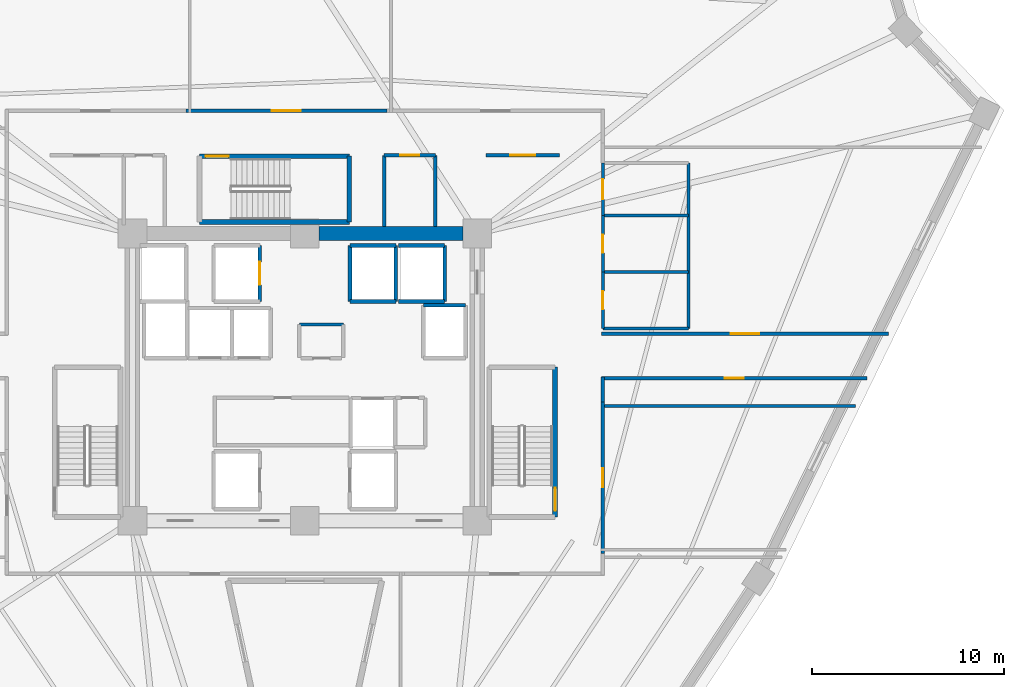
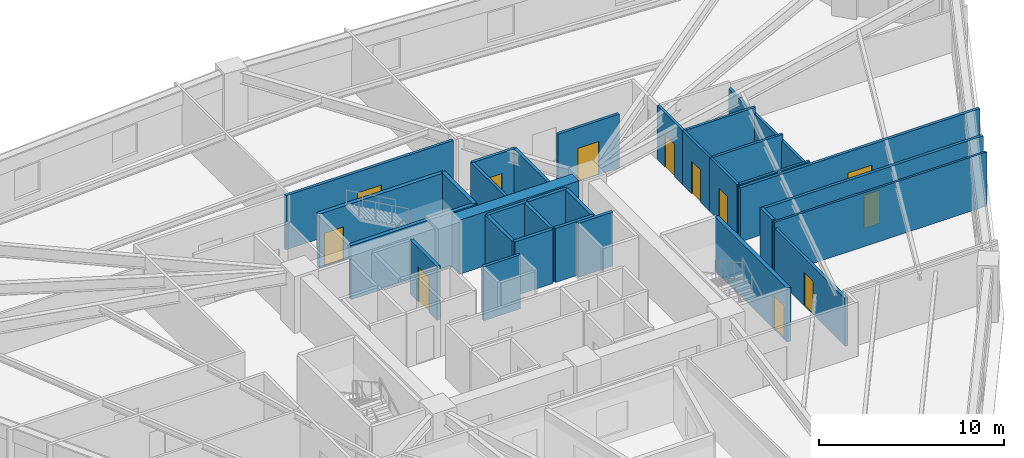
# One storey, part 6 of 9: 32 walls, 12 doors, 12 openings.
"""IFC4 building model written with IfcOpenShell, lengths in metres."""

from ifc_helpers import new_model, si_unit, direction, frame, frame_2d, origin, place, context, subcontext, project, spatial, rectangle, extrude, source, transform, mapped, material, layer, layer_set, type_object, element, fill, save


model = new_model("IFC4")

# Units and contexts
model_context = context("Model", 3, precision=1e-05, world=origin(), true_north=direction((0.0, 1.0)))
body_context = subcontext(model_context, "Body", "Model", "MODEL_VIEW")
ifc_project = project(units=[si_unit("LENGTHUNIT", "METRE"), si_unit("AREAUNIT", "SQUARE_METRE"), si_unit("VOLUMEUNIT", "CUBIC_METRE"), si_unit("PLANEANGLEUNIT", "RADIAN"), si_unit("MASSUNIT", "GRAM", prefix="KILO")], contexts=[model_context])

# Site, building, storey
site_placement = place(None, origin())
site = spatial("IfcSite", under=ifc_project, at=site_placement, CompositionType="ELEMENT")
building_placement = place(site_placement, origin())
building = spatial("IfcBuilding", under=site, at=building_placement, Name="Liaohun Quay Tower", CompositionType="ELEMENT")
storey_placement = place(building_placement, frame((0.0, 0.0, 144.0)))
storey = spatial("IfcBuildingStorey", under=building, at=storey_placement, Name="L37", CompositionType="ELEMENT", Elevation=144.0)

# Wall
ifc_material_1 = material(Name="Concrete C60", Category="concrete")
ifc_layer_1 = layer(ifc_material_1, 0.75, Name="Concrete C60", Category="concrete")
ifc_layer_set_1 = layer_set([ifc_layer_1], Name="Concrete C60")
wall_type_1 = type_object("IfcWallType", Name="WAL-COR-Z2", PredefinedType="SHEAR", material=ifc_layer_set_1)
wall_1_placement = place(storey_placement, frame((60.75, 61.5, 0.0), z_axis=(0.0, 0.0, 1.0), x_axis=(1.0, 0.0, 0.0)))
element("IfcWall", 1, at=wall_1_placement, inside=storey, type_object=wall_type_1, Name="L37 Central Core Shear Wall N-E", PredefinedType="SHEAR", context=body_context, shape_type="SweptSolid", body=[
    extrude(rectangle(XDim=7.5, YDim=0.75, at=frame_2d((3.75, 0.0))), origin(), (0.0, 0.0, 1.0), 3.570068359375),
])

# Wall, opening, door
ifc_material_2 = material(Name="Autoclaved aerated concrete blockwork", Category="masonry")
ifc_layer_2 = layer(ifc_material_2, 0.179931640625, Name="Autoclaved aerated concrete blockwork", Category="masonry")
ifc_layer_set_2 = layer_set([ifc_layer_2], Name="Autoclaved aerated concrete blockwork")
wall_type_2 = type_object("IfcWallType", Name="WAL-PRT-COR", PredefinedType="PARTITIONING", material=ifc_layer_set_2)
wall_2_placement = place(storey_placement, frame((64.139892578125, 65.580078125, 0.0), z_axis=(0.0, 0.0, 1.0), x_axis=(1.0, 0.0, 0.0)))
wall_2 = element("IfcWall", 2, at=wall_2_placement, inside=storey, type_object=wall_type_2, Name="L37 Interior Partition Wall 008", PredefinedType="PARTITIONING", context=body_context, shape_type="SweptSolid", body=[
    extrude(rectangle(XDim=2.670166015625, YDim=0.179931640625, at=frame_2d((1.3349609375, 0.0))), origin(), (0.0, 0.0, 1.0), 3.570068359375),
])
shared_shape_1 = source(origin(), body_context, "Body", "SweptSolid", [
    extrude(rectangle(XDim=1.0, YDim=2.199951171875, at=frame_2d((0.5, 1.10009765625))), frame((0.0, 0.099853515625, 0.0), z_axis=(0.0, -1.0, 0.0), x_axis=(1.0, 0.0, 0.0)), (0.0, 0.0, 1.0), 0.199951171875),
])
opening_1_placement = place(wall_2_placement, frame((0.8349609375, 0.0, 0.0)))
opening_1 = element("IfcOpeningElement", 3, at=opening_1_placement, cuts=wall_2, Name="Opening OD1", PredefinedType="OPENING", context=body_context, shape_type="MappedRepresentation", body=[
    mapped(shared_shape_1, transform((0.0, 0.0, 0.0), x_axis=(1.0, 0.0, 0.0), y_axis=(0.0, 1.0, 0.0), z_axis=(0.0, 0.0, 1.0), scale=1.0)),
])
ifc_material_3 = material(Name="Solid-core oak veneer timber leaf in steel frame", Category="steel")
door_type_1 = type_object("IfcDoorType", Name="DOR-OFF-1000", OperationType="NOTDEFINED", PredefinedType="DOOR", material=ifc_material_3)
shared_shape_2 = source(origin(), body_context, "Body", "SweptSolid", [
    extrude(rectangle(XDim=1.0, YDim=2.199951171875, at=frame_2d((0.5, 1.10009765625))), frame((0.0, 0.02490234375, 0.0), z_axis=(0.0, -1.0, 0.0), x_axis=(1.0, 0.0, 0.0)), (0.0, 0.0, 1.0), 0.050048828125),
])
door_1_placement = place(opening_1_placement, origin())
door_1 = element("IfcDoor", 4, at=door_1_placement, inside=storey, type_object=door_type_1, Name="L37 North-East Server Closet Door", OperationType="SINGLE_SWING_LEFT", OverallHeight=2.199951171875, OverallWidth=1.0, PredefinedType="DOOR", context=body_context, shape_type="MappedRepresentation", body=[
    mapped(shared_shape_2, transform((0.0, 0.0, 0.0), x_axis=(1.0, 0.0, 0.0), y_axis=(0.0, 1.0, 0.0), z_axis=(0.0, 0.0, 1.0), scale=1.0)),
])
fill(opening_1, door_1)

wall_3_placement = place(storey_placement, frame((69.4599609375, 65.580078125, 0.0), z_axis=(0.0, 0.0, 1.0), x_axis=(1.0, 0.0, 0.0)))
wall_3 = element("IfcWall", 5, at=wall_3_placement, inside=storey, type_object=wall_type_2, Name="L37 Interior Partition Wall 010", PredefinedType="PARTITIONING", context=body_context, shape_type="SweptSolid", body=[
    extrude(rectangle(XDim=3.840087890625, YDim=0.179931640625, at=frame_2d((1.919921875, 0.0))), origin(), (0.0, 0.0, 1.0), 3.570068359375),
])
shared_shape_3 = source(origin(), body_context, "Body", "SweptSolid", [
    extrude(rectangle(XDim=1.300048828125, YDim=2.199951171875, at=frame_2d((0.64990234375, 1.10009765625))), frame((0.0, 0.099853515625, 0.0), z_axis=(0.0, -1.0, 0.0), x_axis=(1.0, 0.0, 0.0)), (0.0, 0.0, 1.0), 0.199951171875),
])
opening_2_placement = place(wall_3_placement, frame((1.27001953125, 0.0, 0.0)))
opening_2 = element("IfcOpeningElement", 6, at=opening_2_placement, cuts=wall_3, Name="Opening FD1", PredefinedType="OPENING", context=body_context, shape_type="MappedRepresentation", body=[
    mapped(shared_shape_3, transform((0.0, 0.0, 0.0), x_axis=(1.0, 0.0, 0.0), y_axis=(0.0, 1.0, 0.0), z_axis=(0.0, 0.0, 1.0), scale=1.0)),
])
ifc_material_4 = material(Name="Galvanised steel smokeproof fire door", Category="steel")
door_type_2 = type_object("IfcDoorType", Name="DOR-FFL-1300", OperationType="NOTDEFINED", PredefinedType="DOOR", material=ifc_material_4)
shared_shape_4 = source(origin(), body_context, "Body", "SweptSolid", [
    extrude(rectangle(XDim=1.300048828125, YDim=2.199951171875, at=frame_2d((0.64990234375, 1.10009765625))), frame((0.0, 0.02490234375, 0.0), z_axis=(0.0, -1.0, 0.0), x_axis=(1.0, 0.0, 0.0)), (0.0, 0.0, 1.0), 0.050048828125),
])
door_2_placement = place(opening_2_placement, origin())
door_2 = element("IfcDoor", 7, at=door_2_placement, inside=storey, type_object=door_type_2, Name="L37 East Core Vestibule Door", OperationType="SINGLE_SWING_LEFT", OverallHeight=2.199951171875, OverallWidth=1.300048828125, PredefinedType="DOOR", context=body_context, shape_type="MappedRepresentation", body=[
    mapped(shared_shape_4, transform((0.0, 0.0, 0.0), x_axis=(1.0, 0.0, 0.0), y_axis=(0.0, 1.0, 0.0), z_axis=(0.0, 0.0, 1.0), scale=1.0)),
])
fill(opening_2, door_2)

wall_4_placement = place(storey_placement, frame((75.489990234375, 56.260009765625, 0.0), z_axis=(0.0, 0.0, 1.0), x_axis=(1.0, 0.0, 0.0)))
wall_4 = element("IfcWall", 8, at=wall_4_placement, inside=storey, type_object=wall_type_2, Name="L37 Interior Partition Wall 011", PredefinedType="PARTITIONING", context=body_context, shape_type="SweptSolid", body=[
    extrude(rectangle(XDim=14.98095703125, YDim=0.179931640625, at=frame_2d((7.490478515625, 0.0))), origin(), (0.0, 0.0, 1.0), 3.570068359375),
])
shared_shape_5 = source(origin(), body_context, "Body", "SweptSolid", [
    extrude(rectangle(XDim=1.5, YDim=2.199951171875, at=frame_2d((0.75, 1.10009765625))), frame((0.0, 0.099853515625, 0.0), z_axis=(0.0, -1.0, 0.0), x_axis=(1.0, 0.0, 0.0)), (0.0, 0.0, 1.0), 0.199951171875),
])
opening_3_placement = place(wall_4_placement, frame((6.740966796875, 0.0, 0.0)))
opening_3 = element("IfcOpeningElement", 9, at=opening_3_placement, cuts=wall_4, Name="Opening OD2", PredefinedType="OPENING", context=body_context, shape_type="MappedRepresentation", body=[
    mapped(shared_shape_5, transform((0.0, 0.0, 0.0), x_axis=(1.0, 0.0, 0.0), y_axis=(0.0, 1.0, 0.0), z_axis=(0.0, 0.0, 1.0), scale=1.0)),
])
ifc_material_5 = material(Name="Acoustic oak veneer double door")
door_type_3 = type_object("IfcDoorType", Name="DOR-OFF-1500", OperationType="DOUBLE_DOOR_SINGLE_SWING", PredefinedType="DOOR", material=ifc_material_5)
shared_shape_6 = source(origin(), body_context, "Body", "SweptSolid", [
    extrude(rectangle(XDim=1.5, YDim=2.199951171875, at=frame_2d((0.75, 1.10009765625))), frame((0.0, 0.02490234375, 0.0), z_axis=(0.0, -1.0, 0.0), x_axis=(1.0, 0.0, 0.0)), (0.0, 0.0, 1.0), 0.050048828125),
])
door_3_placement = place(opening_3_placement, origin())
door_3 = element("IfcDoor", 10, at=door_3_placement, inside=storey, type_object=door_type_3, Name="L37 Technical Reference Library 01 Door", OperationType="DOUBLE_DOOR_SINGLE_SWING", OverallHeight=2.199951171875, OverallWidth=1.5, PredefinedType="DOOR", context=body_context, shape_type="MappedRepresentation", body=[
    mapped(shared_shape_6, transform((0.0, 0.0, 0.0), x_axis=(1.0, 0.0, 0.0), y_axis=(0.0, 1.0, 0.0), z_axis=(0.0, 0.0, 1.0), scale=1.0)),
])
fill(opening_3, door_3)

wall_5_placement = place(storey_placement, frame((53.784912109375, 67.909912109375, 0.0), z_axis=(0.0, 0.0, 1.0), x_axis=(1.0, 0.0, 0.0)))
wall_5 = element("IfcWall", 11, at=wall_5_placement, inside=storey, type_object=wall_type_2, Name="L37 Interior Partition Wall 013", PredefinedType="PARTITIONING", context=body_context, shape_type="SweptSolid", body=[
    extrude(rectangle(XDim=10.5, YDim=0.179931640625, at=frame_2d((5.25, 0.0))), origin(), (0.0, 0.0, 1.0), 3.570068359375),
])
opening_4_placement = place(wall_5_placement, frame((4.5, 0.0, 0.0)))
opening_4 = element("IfcOpeningElement", 12, at=opening_4_placement, cuts=wall_5, Name="Opening OD2", PredefinedType="OPENING", context=body_context, shape_type="MappedRepresentation", body=[
    mapped(shared_shape_5, transform((0.0, 0.0, 0.0), x_axis=(1.0, 0.0, 0.0), y_axis=(0.0, 1.0, 0.0), z_axis=(0.0, 0.0, 1.0), scale=1.0)),
])
door_4_placement = place(opening_4_placement, origin())
door_4 = element("IfcDoor", 13, at=door_4_placement, inside=storey, type_object=door_type_3, Name="L37 Technical Reference Library 03 Door", OperationType="DOUBLE_DOOR_SINGLE_SWING", OverallHeight=2.199951171875, OverallWidth=1.5, PredefinedType="DOOR", context=body_context, shape_type="MappedRepresentation", body=[
    mapped(shared_shape_6, transform((0.0, 0.0, 0.0), x_axis=(1.0, 0.0, 0.0), y_axis=(0.0, 1.0, 0.0), z_axis=(0.0, 0.0, 1.0), scale=1.0)),
])
fill(opening_4, door_4)

wall_6_placement = place(storey_placement, frame((75.56005859375, 52.715087890625, 0.0), z_axis=(0.0, 0.0, 1.0), x_axis=(0.0, -1.0, 0.0)))
wall_6 = element("IfcWall", 14, at=wall_6_placement, inside=storey, type_object=wall_type_2, Name="L37 Interior Partition Wall 020", PredefinedType="PARTITIONING", context=body_context, shape_type="SweptSolid", body=[
    extrude(rectangle(XDim=7.93017578125, YDim=0.179931640625, at=frame_2d((3.965087890625, 0.0))), origin(), (0.0, 0.0, 1.0), 3.155029296875),
])
opening_5_placement = place(wall_6_placement, frame((3.465087890625, 0.0, 0.0)))
opening_5 = element("IfcOpeningElement", 15, at=opening_5_placement, cuts=wall_6, Name="Opening OD1", PredefinedType="OPENING", context=body_context, shape_type="MappedRepresentation", body=[
    mapped(shared_shape_1, transform((0.0, 0.0, 0.0), x_axis=(1.0, 0.0, 0.0), y_axis=(0.0, 1.0, 0.0), z_axis=(0.0, 0.0, 1.0), scale=1.0)),
])
door_5_placement = place(opening_5_placement, origin())
door_5 = element("IfcDoor", 16, at=door_5_placement, inside=storey, type_object=door_type_1, Name="L37 Open-Plan Office Workplace 10 Door", OperationType="SINGLE_SWING_LEFT", OverallHeight=2.199951171875, OverallWidth=1.0, PredefinedType="DOOR", context=body_context, shape_type="MappedRepresentation", body=[
    mapped(shared_shape_2, transform((0.0, 0.0, 0.0), x_axis=(1.0, 0.0, 0.0), y_axis=(0.0, 1.0, 0.0), z_axis=(0.0, 0.0, 1.0), scale=1.0)),
])
fill(opening_5, door_5)

wall_7_placement = place(storey_placement, frame((89.343017578125, 53.93994140625, 0.0), z_axis=(0.0, 0.0, 1.0), x_axis=(-1.0, 0.0, 0.0)))
wall_7 = element("IfcWall", 17, at=wall_7_placement, inside=storey, type_object=wall_type_2, Name="L37 Interior Partition Wall 021", PredefinedType="PARTITIONING", context=body_context, shape_type="SweptSolid", body=[
    extrude(rectangle(XDim=13.85302734375, YDim=0.179931640625, at=frame_2d((6.926513671875, 0.0))), origin(), (0.0, 0.0, 1.0), 3.570068359375),
])
opening_6_placement = place(wall_7_placement, frame((6.427001953125, 0.0, 0.0)))
opening_6 = element("IfcOpeningElement", 18, at=opening_6_placement, cuts=wall_7, Name="Opening OD1", PredefinedType="OPENING", context=body_context, shape_type="MappedRepresentation", body=[
    mapped(shared_shape_1, transform((0.0, 0.0, 0.0), x_axis=(1.0, 0.0, 0.0), y_axis=(0.0, 1.0, 0.0), z_axis=(0.0, 0.0, 1.0), scale=1.0)),
])
door_6_placement = place(opening_6_placement, origin())
door_6 = element("IfcDoor", 19, at=door_6_placement, inside=storey, type_object=door_type_1, Name="L37 Executive Partner Office 11 Door", OperationType="SINGLE_SWING_RIGHT", OverallHeight=2.199951171875, OverallWidth=1.0, PredefinedType="DOOR", context=body_context, shape_type="MappedRepresentation", body=[
    mapped(shared_shape_2, transform((0.0, 0.0, 0.0), x_axis=(1.0, 0.0, 0.0), y_axis=(0.0, 1.0, 0.0), z_axis=(0.0, 0.0, 1.0), scale=1.0)),
])
fill(opening_6, door_6)

# Walls
wall_8_placement = place(storey_placement, frame((59.719970703125, 56.75, 0.0), z_axis=(0.0, 0.0, 1.0), x_axis=(1.0, 0.0, 0.0)))
element("IfcWall", 20, at=wall_8_placement, inside=storey, type_object=wall_type_2, Name="L37 Interior Partition Wall 024", PredefinedType="PARTITIONING", context=body_context, shape_type="SweptSolid", body=[
    extrude(rectangle(XDim=2.2900390625, YDim=0.179931640625, at=frame_2d((1.14501953125, 0.0))), origin(), (0.0, 0.0, 1.0), 3.570068359375),
])
for number, where, z_axis, x_axis, name in (
    (21, (64.139892578125, 61.875, 0.0), (0.0, 0.0, 1.0), (0.0, 1.0, 0.0), "L37 Interior Partition Wall 034"),
    (22, (66.81005859375, 61.875, 0.0), (0.0, 0.0, 1.0), (0.0, 1.0, 0.0), "L37 Interior Partition Wall 035"),
):
    element("IfcWall", number, at=place(storey_placement, frame(where, z_axis=z_axis, x_axis=x_axis)), inside=storey, type_object=wall_type_2, Name=name, PredefinedType="PARTITIONING", context=body_context, shape_type="SweptSolid", body=[
        extrude(rectangle(XDim=3.705078125, YDim=0.179931640625, at=frame_2d((1.8525390625, 0.0))), origin(), (0.0, 0.0, 1.0), 3.570068359375),
    ])
wall_9_placement = place(storey_placement, frame((75.56005859375, 54.010009765625, 0.0), z_axis=(0.0, 0.0, 1.0), x_axis=(0.0, -1.0, 0.0)))
element("IfcWall", 23, at=wall_9_placement, inside=storey, type_object=wall_type_2, Name="L37 Interior Partition Wall 043", PredefinedType="PARTITIONING", context=body_context, shape_type="SweptSolid", body=[
    extrude(rectangle(XDim=1.294921875, YDim=0.179931640625, at=frame_2d((0.6474609375, 0.0))), origin(), (0.0, 0.0, 1.0), 3.570068359375),
])
ifc_material_6 = material(Name="Gypsum board on twin steel studs", Category="steel")
ifc_layer_3 = layer(ifc_material_6, 0.139892578125, Name="Gypsum board on twin steel studs", Category="steel")
ifc_layer_set_3 = layer_set([ifc_layer_3], Name="Gypsum board on twin steel studs")
wall_type_3 = type_object("IfcWallType", Name="WAL-PRT-OFF", PredefinedType="PARTITIONING", material=ifc_layer_set_3)
wall_10_placement = place(storey_placement, frame((75.4599609375, 52.5, 0.0), z_axis=(0.0, 0.0, 1.0), x_axis=(1.0, 0.0, 0.0)))
element("IfcWall", 24, at=wall_10_placement, inside=storey, type_object=wall_type_3, Name="L37 Interior Partition Wall 049", PredefinedType="PARTITIONING", context=body_context, shape_type="SweptSolid", body=[
    extrude(rectangle(XDim=13.291015625, YDim=0.139892578125, at=frame_2d((6.6455078125, 0.0))), origin(), (0.0, 0.0, 1.0), 3.570068359375),
])

# Wall, opening, door
ifc_material_7 = material(Name="Moisture-resistant masonry blockwork", Category="masonry")
ifc_layer_4 = layer(ifc_material_7, 0.159912109375, Name="Moisture-resistant masonry blockwork", Category="masonry")
ifc_layer_set_4 = layer_set([ifc_layer_4], Name="Moisture-resistant masonry blockwork")
wall_type_4 = type_object("IfcWallType", Name="WAL-PRT-WET", PredefinedType="PARTITIONING", material=ifc_layer_set_4)
wall_11_placement = place(storey_placement, frame((75.56005859375, 56.5400390625, 0.0), z_axis=(0.0, 0.0, 1.0), x_axis=(0.0, 1.0, 0.0)))
wall_11 = element("IfcWall", 25, at=wall_11_placement, inside=storey, type_object=wall_type_4, Name="L37 Interior Partition Wall 004", PredefinedType="PARTITIONING", context=body_context, shape_type="SweptSolid", body=[
    extrude(rectangle(XDim=2.93994140625, YDim=0.159912109375, at=frame_2d((1.469970703125, 0.0))), origin(), (0.0, 0.0, 1.0), 3.570068359375),
])
shared_shape_7 = source(origin(), body_context, "Body", "SweptSolid", [
    extrude(rectangle(XDim=0.949951171875, YDim=2.14990234375, at=frame_2d((0.47509765625, 1.074951171875))), frame((0.0, 0.08984375, 0.0), z_axis=(0.0, -1.0, 0.0), x_axis=(1.0, 0.0, 0.0)), (0.0, 0.0, 1.0), 0.179931640625),
])
opening_7_placement = place(wall_11_placement, frame((0.9951171875, 0.0, 0.0)))
opening_7 = element("IfcOpeningElement", 26, at=opening_7_placement, cuts=wall_11, Name="Opening WD1", PredefinedType="OPENING", context=body_context, shape_type="MappedRepresentation", body=[
    mapped(shared_shape_7, transform((0.0, 0.0, 0.0), x_axis=(1.0, 0.0, 0.0), y_axis=(0.0, 1.0, 0.0), z_axis=(0.0, 0.0, 1.0), scale=1.0)),
])
ifc_material_8 = material(Name="Moisture-resistant laminate timber leaf", Category="wood")
door_type_4 = type_object("IfcDoorType", Name="DOR-WC-950", OperationType="NOTDEFINED", PredefinedType="DOOR", material=ifc_material_8)
shared_shape_8 = source(origin(), body_context, "Body", "SweptSolid", [
    extrude(rectangle(XDim=0.949951171875, YDim=2.14990234375, at=frame_2d((0.47509765625, 1.074951171875))), frame((0.0, 0.02490234375, 0.0), z_axis=(0.0, -1.0, 0.0), x_axis=(1.0, 0.0, 0.0)), (0.0, 0.0, 1.0), 0.050048828125),
])
door_7_placement = place(opening_7_placement, origin())
door_7 = element("IfcDoor", 27, at=door_7_placement, inside=storey, type_object=door_type_4, Name="L37 Male Restroom WC Door", OperationType="SINGLE_SWING_LEFT", OverallHeight=2.14990234375, OverallWidth=0.949951171875, PredefinedType="DOOR", context=body_context, shape_type="MappedRepresentation", body=[
    mapped(shared_shape_8, transform((0.0, 0.0, 0.0), x_axis=(1.0, 0.0, 0.0), y_axis=(0.0, 1.0, 0.0), z_axis=(0.0, 0.0, 1.0), scale=1.0)),
])
fill(opening_7, door_7)

wall_12_placement = place(storey_placement, frame((75.56005859375, 59.47998046875, 0.0), z_axis=(0.0, 0.0, 1.0), x_axis=(0.0, 1.0, 0.0)))
wall_12 = element("IfcWall", 28, at=wall_12_placement, inside=storey, type_object=wall_type_4, Name="L37 Interior Partition Wall 005", PredefinedType="PARTITIONING", context=body_context, shape_type="SweptSolid", body=[
    extrude(rectangle(XDim=2.9599609375, YDim=0.159912109375, at=frame_2d((1.47998046875, 0.0))), origin(), (0.0, 0.0, 1.0), 3.570068359375),
])
opening_8_placement = place(wall_12_placement, frame((1.0048828125, 0.0, 0.0)))
opening_8 = element("IfcOpeningElement", 29, at=opening_8_placement, cuts=wall_12, Name="Opening WD1", PredefinedType="OPENING", context=body_context, shape_type="MappedRepresentation", body=[
    mapped(shared_shape_7, transform((0.0, 0.0, 0.0), x_axis=(1.0, 0.0, 0.0), y_axis=(0.0, 1.0, 0.0), z_axis=(0.0, 0.0, 1.0), scale=1.0)),
])
door_8_placement = place(opening_8_placement, origin())
door_8 = element("IfcDoor", 30, at=door_8_placement, inside=storey, type_object=door_type_4, Name="L37 Female Restroom WC Door", OperationType="SINGLE_SWING_RIGHT", OverallHeight=2.14990234375, OverallWidth=0.949951171875, PredefinedType="DOOR", context=body_context, shape_type="MappedRepresentation", body=[
    mapped(shared_shape_8, transform((0.0, 0.0, 0.0), x_axis=(1.0, 0.0, 0.0), y_axis=(0.0, 1.0, 0.0), z_axis=(0.0, 0.0, 1.0), scale=1.0)),
])
fill(opening_8, door_8)

wall_13_placement = place(storey_placement, frame((75.56005859375, 62.43994140625, 0.0), z_axis=(0.0, 0.0, 1.0), x_axis=(0.0, 1.0, 0.0)))
wall_13 = element("IfcWall", 31, at=wall_13_placement, inside=storey, type_object=wall_type_4, Name="L37 Interior Partition Wall 006", PredefinedType="PARTITIONING", context=body_context, shape_type="SweptSolid", body=[
    extrude(rectangle(XDim=2.739990234375, YDim=0.159912109375, at=frame_2d((1.3701171875, 0.0))), origin(), (0.0, 0.0, 1.0), 3.570068359375),
])
shared_shape_9 = source(origin(), body_context, "Body", "SweptSolid", [
    extrude(rectangle(XDim=1.050048828125, YDim=2.14990234375, at=frame_2d((0.52490234375, 1.074951171875))), frame((0.0, 0.08984375, 0.0), z_axis=(0.0, -1.0, 0.0), x_axis=(1.0, 0.0, 0.0)), (0.0, 0.0, 1.0), 0.179931640625),
])
opening_9_placement = place(wall_13_placement, frame((0.844970703125, 0.0, 0.0)))
opening_9 = element("IfcOpeningElement", 32, at=opening_9_placement, cuts=wall_13, Name="Opening WD2", PredefinedType="OPENING", context=body_context, shape_type="MappedRepresentation", body=[
    mapped(shared_shape_9, transform((0.0, 0.0, 0.0), x_axis=(1.0, 0.0, 0.0), y_axis=(0.0, 1.0, 0.0), z_axis=(0.0, 0.0, 1.0), scale=1.0)),
])
ifc_material_9 = material(Name="Accessible outward-swinging laminate door")
door_type_5 = type_object("IfcDoorType", Name="DOR-AWC-1050", OperationType="NOTDEFINED", PredefinedType="DOOR", material=ifc_material_9)
shared_shape_10 = source(origin(), body_context, "Body", "SweptSolid", [
    extrude(rectangle(XDim=1.050048828125, YDim=2.14990234375, at=frame_2d((0.52490234375, 1.074951171875))), frame((0.0, 0.02490234375, 0.0), z_axis=(0.0, -1.0, 0.0), x_axis=(1.0, 0.0, 0.0)), (0.0, 0.0, 1.0), 0.050048828125),
])
door_9_placement = place(opening_9_placement, origin())
door_9 = element("IfcDoor", 33, at=door_9_placement, inside=storey, type_object=door_type_5, Name="L37 Accessible WC Door", OperationType="SINGLE_SWING_LEFT", OverallHeight=2.14990234375, OverallWidth=1.050048828125, PredefinedType="DOOR", context=body_context, shape_type="MappedRepresentation", body=[
    mapped(shared_shape_10, transform((0.0, 0.0, 0.0), x_axis=(1.0, 0.0, 0.0), y_axis=(0.0, 1.0, 0.0), z_axis=(0.0, 0.0, 1.0), scale=1.0)),
])
fill(opening_9, door_9)

# Walls
wall_14_placement = place(storey_placement, frame((80.02001953125, 56.5400390625, 0.0), z_axis=(0.0, 0.0, 1.0), x_axis=(0.0, 1.0, 0.0)))
element("IfcWall", 34, at=wall_14_placement, inside=storey, type_object=wall_type_4, Name="L37 Interior Partition Wall 027", PredefinedType="PARTITIONING", context=body_context, shape_type="SweptSolid", body=[
    extrude(rectangle(XDim=8.639892578125, YDim=0.159912109375, at=frame_2d((4.31982421875, 0.0))), origin(), (0.0, 0.0, 1.0), 3.155029296875),
])
for number, where, z_axis, x_axis, name in (
    (35, (75.56005859375, 56.5400390625, 0.0), (0.0, 0.0, 1.0), (1.0, 0.0, 0.0), "L37 Interior Partition Wall 028"),
    (36, (75.56005859375, 59.47998046875, 0.0), (0.0, 0.0, 1.0), (1.0, 0.0, 0.0), "L37 Interior Partition Wall 029"),
    (37, (75.56005859375, 62.43994140625, 0.0), (0.0, 0.0, 1.0), (1.0, 0.0, 0.0), "L37 Interior Partition Wall 030"),
):
    element("IfcWall", number, at=place(storey_placement, frame(where, z_axis=z_axis, x_axis=x_axis)), inside=storey, type_object=wall_type_4, Name=name, PredefinedType="PARTITIONING", context=body_context, shape_type="SweptSolid", body=[
        extrude(rectangle(XDim=4.4599609375, YDim=0.159912109375, at=frame_2d((2.22998046875, 0.0))), origin(), (0.0, 0.0, 1.0), 3.570068359375),
    ])

# Wall, opening, door
ifc_material_10 = material(Name="Concrete C50", Category="concrete")
ifc_layer_5 = layer(ifc_material_10, 0.239990234375, Name="Concrete C50", Category="concrete")
ifc_layer_set_5 = layer_set([ifc_layer_5], Name="Concrete C50")
wall_type_5 = type_object("IfcWallType", Name="WAL-SHF-200", PredefinedType="SOLIDWALL", material=ifc_layer_set_5)
wall_15_placement = place(storey_placement, frame((73.06005859375, 46.699951171875, 0.0), z_axis=(0.0, 0.0, 1.0), x_axis=(0.0, 1.0, 0.0)))
wall_15 = element("IfcWall", 38, at=wall_15_placement, inside=storey, type_object=wall_type_5, Name="L37 Stairwell ST-2 Structural Core Wall E", PredefinedType="SOLIDWALL", context=body_context, shape_type="SweptSolid", body=[
    extrude(rectangle(XDim=7.820068359375, YDim=0.239990234375, at=frame_2d((3.91015625, 0.0))), origin(), (0.0, 0.0, 1.0), 3.570068359375),
])
shared_shape_11 = source(origin(), body_context, "Body", "SweptSolid", [
    extrude(rectangle(XDim=1.199951171875, YDim=2.199951171875, at=frame_2d((0.60009765625, 1.10009765625))), frame((0.0, 0.1298828125, 0.0), z_axis=(0.0, -1.0, 0.0), x_axis=(1.0, 0.0, 0.0)), (0.0, 0.0, 1.0), 0.260009765625),
])
opening_10_placement = place(wall_15_placement, frame((0.320068359375, 0.0, 0.0)))
opening_10 = element("IfcOpeningElement", 39, at=opening_10_placement, cuts=wall_15, Name="Opening SD1", PredefinedType="OPENING", context=body_context, shape_type="MappedRepresentation", body=[
    mapped(shared_shape_11, transform((0.0, 0.0, 0.0), x_axis=(1.0, 0.0, 0.0), y_axis=(0.0, 1.0, 0.0), z_axis=(0.0, 0.0, 1.0), scale=1.0)),
])
ifc_material_11 = material(Name="Galvanised steel fire door", Category="steel")
door_type_6 = type_object("IfcDoorType", Name="DOR-STR-1200", OperationType="NOTDEFINED", PredefinedType="DOOR", material=ifc_material_11)
shared_shape_12 = source(origin(), body_context, "Body", "SweptSolid", [
    extrude(rectangle(XDim=1.199951171875, YDim=2.199951171875, at=frame_2d((0.60009765625, 1.10009765625))), frame((0.0, 0.02490234375, 0.0), z_axis=(0.0, -1.0, 0.0), x_axis=(1.0, 0.0, 0.0)), (0.0, 0.0, 1.0), 0.050048828125),
])
door_10_placement = place(opening_10_placement, origin())
door_10 = element("IfcDoor", 40, at=door_10_placement, inside=storey, type_object=door_type_6, Name="L37 Protected Stair ST-2 Fire Door", OperationType="SINGLE_SWING_RIGHT", OverallHeight=2.199951171875, OverallWidth=1.199951171875, PredefinedType="DOOR", context=body_context, shape_type="MappedRepresentation", body=[
    mapped(shared_shape_12, transform((0.0, 0.0, 0.0), x_axis=(1.0, 0.0, 0.0), y_axis=(0.0, 1.0, 0.0), z_axis=(0.0, 0.0, 1.0), scale=1.0)),
])
fill(opening_10, door_10)

# Walls
wall_16_placement = place(storey_placement, frame((54.5, 62.10009765625, 0.0), z_axis=(0.0, 0.0, 1.0), x_axis=(1.0, 0.0, 0.0)))
element("IfcWall", 41, at=wall_16_placement, inside=storey, type_object=wall_type_5, Name="L37 Stairwell ST-3 Structural Core Wall S", PredefinedType="SOLIDWALL", context=body_context, shape_type="SweptSolid", body=[
    extrude(rectangle(XDim=7.820068359375, YDim=0.239990234375, at=frame_2d((3.91015625, 0.0))), origin(), (0.0, 0.0, 1.0), 3.570068359375),
])
wall_17_placement = place(storey_placement, frame((62.320068359375, 62.10009765625, 0.0), z_axis=(0.0, 0.0, 1.0), x_axis=(0.0, 1.0, 0.0)))
element("IfcWall", 42, at=wall_17_placement, inside=storey, type_object=wall_type_5, Name="L37 Stairwell ST-3 Structural Core Wall E", PredefinedType="SOLIDWALL", context=body_context, shape_type="SweptSolid", body=[
    extrude(rectangle(XDim=3.43994140625, YDim=0.239990234375, at=frame_2d((1.719970703125, 0.0))), origin(), (0.0, 0.0, 1.0), 3.570068359375),
])

# Wall, opening, door
wall_18_placement = place(storey_placement, frame((62.320068359375, 65.5400390625, 0.0), z_axis=(0.0, 0.0, 1.0), x_axis=(-1.0, 0.0, 0.0)))
wall_18 = element("IfcWall", 43, at=wall_18_placement, inside=storey, type_object=wall_type_5, Name="L37 Stairwell ST-3 Structural Core Wall N", PredefinedType="SOLIDWALL", context=body_context, shape_type="SweptSolid", body=[
    extrude(rectangle(XDim=7.820068359375, YDim=0.239990234375, at=frame_2d((3.91015625, 0.0))), origin(), (0.0, 0.0, 1.0), 3.570068359375),
])
opening_11_placement = place(wall_18_placement, frame((6.300048828125, 0.0, 0.0)))
opening_11 = element("IfcOpeningElement", 44, at=opening_11_placement, cuts=wall_18, Name="Opening SD1", PredefinedType="OPENING", context=body_context, shape_type="MappedRepresentation", body=[
    mapped(shared_shape_11, transform((0.0, 0.0, 0.0), x_axis=(1.0, 0.0, 0.0), y_axis=(0.0, 1.0, 0.0), z_axis=(0.0, 0.0, 1.0), scale=1.0)),
])
door_11_placement = place(opening_11_placement, origin())
door_11 = element("IfcDoor", 45, at=door_11_placement, inside=storey, type_object=door_type_6, Name="L37 Protected Stair ST-3 Fire Door", OperationType="SINGLE_SWING_RIGHT", OverallHeight=2.199951171875, OverallWidth=1.199951171875, PredefinedType="DOOR", context=body_context, shape_type="MappedRepresentation", body=[
    mapped(shared_shape_12, transform((0.0, 0.0, 0.0), x_axis=(1.0, 0.0, 0.0), y_axis=(0.0, 1.0, 0.0), z_axis=(0.0, 0.0, 1.0), scale=1.0)),
])
fill(opening_11, door_11)

wall_19_placement = place(storey_placement, frame((57.64990234375, 57.949951171875, 0.0), z_axis=(0.0, 0.0, 1.0), x_axis=(0.0, 1.0, 0.0)))
wall_19 = element("IfcWall", 46, at=wall_19_placement, inside=storey, type_object=wall_type_5, Name="L37 Lift FF-03 Hoistway Wall E", PredefinedType="SOLIDWALL", context=body_context, shape_type="SweptSolid", body=[
    extrude(rectangle(XDim=2.929931640625, YDim=0.199951171875, at=frame_2d((1.46484375, 0.0))), origin(), (0.0, 0.0, 1.0), 3.570068359375),
])
shared_shape_13 = source(origin(), body_context, "Body", "SweptSolid", [
    extrude(rectangle(XDim=1.199951171875, YDim=2.300048828125, at=frame_2d((0.60009765625, 1.14990234375))), frame((0.0, 0.10986328125, 0.0), z_axis=(0.0, -1.0, 0.0), x_axis=(1.0, 0.0, 0.0)), (0.0, 0.0, 1.0), 0.219970703125),
])
opening_12_placement = place(wall_19_placement, frame((0.864990234375, 0.0, 0.0)))
opening_12 = element("IfcOpeningElement", 47, at=opening_12_placement, cuts=wall_19, Name="Opening LD2", PredefinedType="OPENING", context=body_context, shape_type="MappedRepresentation", body=[
    mapped(shared_shape_13, transform((0.0, 0.0, 0.0), x_axis=(1.0, 0.0, 0.0), y_axis=(0.0, 1.0, 0.0), z_axis=(0.0, 0.0, 1.0), scale=1.0)),
])
ifc_material_12 = material(Name="Brushed stainless steel stretcher landing door", Category="steel")
door_type_7 = type_object("IfcDoorType", Name="DOR-LFT-1200", OperationType="SLIDING_TO_LEFT", PredefinedType="DOOR", material=ifc_material_12)
shared_shape_14 = source(origin(), body_context, "Body", "SweptSolid", [
    extrude(rectangle(XDim=1.199951171875, YDim=2.300048828125, at=frame_2d((0.60009765625, 1.14990234375))), frame((0.0, 0.02490234375, 0.0), z_axis=(0.0, -1.0, 0.0), x_axis=(1.0, 0.0, 0.0)), (0.0, 0.0, 1.0), 0.050048828125),
])
door_12_placement = place(opening_12_placement, origin())
door_12 = element("IfcDoor", 48, at=door_12_placement, inside=storey, type_object=door_type_7, Name="L37 Lift FF-03 Sliding Landing Door", OperationType="SLIDING_TO_LEFT", OverallHeight=2.300048828125, OverallWidth=1.199951171875, PredefinedType="DOOR", context=body_context, shape_type="MappedRepresentation", body=[
    mapped(shared_shape_14, transform((0.0, 0.0, 0.0), x_axis=(1.0, 0.0, 0.0), y_axis=(0.0, 1.0, 0.0), z_axis=(0.0, 0.0, 1.0), scale=1.0)),
])
fill(opening_12, door_12)

# Walls
wall_20_placement = place(storey_placement, frame((62.35009765625, 57.949951171875, 0.0), z_axis=(0.0, 0.0, 1.0), x_axis=(1.0, 0.0, 0.0)))
element("IfcWall", 49, at=wall_20_placement, inside=storey, type_object=wall_type_5, Name="L37 Lift OB-01 Hoistway Wall S", PredefinedType="SOLIDWALL", context=body_context, shape_type="SweptSolid", body=[
    extrude(rectangle(XDim=2.39990234375, YDim=0.199951171875, at=frame_2d((1.199951171875, 0.0))), origin(), (0.0, 0.0, 1.0), 3.570068359375),
])
wall_21_placement = place(storey_placement, frame((64.75, 57.949951171875, 0.0), z_axis=(0.0, 0.0, 1.0), x_axis=(0.0, 1.0, 0.0)))
element("IfcWall", 50, at=wall_21_placement, inside=storey, type_object=wall_type_5, Name="L37 Lift OB-01 Hoistway Wall E", PredefinedType="SOLIDWALL", context=body_context, shape_type="SweptSolid", body=[
    extrude(rectangle(XDim=2.929931640625, YDim=0.199951171875, at=frame_2d((1.46484375, 0.0))), origin(), (0.0, 0.0, 1.0), 3.570068359375),
])
wall_22_placement = place(storey_placement, frame((64.75, 60.8798828125, 0.0), z_axis=(0.0, 0.0, 1.0), x_axis=(-1.0, 0.0, 0.0)))
element("IfcWall", 51, at=wall_22_placement, inside=storey, type_object=wall_type_5, Name="L37 Lift OB-01 Hoistway Wall N", PredefinedType="SOLIDWALL", context=body_context, shape_type="SweptSolid", body=[
    extrude(rectangle(XDim=2.39990234375, YDim=0.199951171875, at=frame_2d((1.199951171875, 0.0))), origin(), (0.0, 0.0, 1.0), 3.570068359375),
])
wall_23_placement = place(storey_placement, frame((62.35009765625, 60.8798828125, 0.0), z_axis=(0.0, 0.0, 1.0), x_axis=(0.0, -1.0, 0.0)))
element("IfcWall", 52, at=wall_23_placement, inside=storey, type_object=wall_type_5, Name="L37 Lift OB-01 Hoistway Wall W", PredefinedType="SOLIDWALL", context=body_context, shape_type="SweptSolid", body=[
    extrude(rectangle(XDim=2.929931640625, YDim=0.199951171875, at=frame_2d((1.46484375, 0.0))), origin(), (0.0, 0.0, 1.0), 3.570068359375),
])
wall_24_placement = place(storey_placement, frame((64.89990234375, 57.949951171875, 0.0), z_axis=(0.0, 0.0, 1.0), x_axis=(1.0, 0.0, 0.0)))
element("IfcWall", 53, at=wall_24_placement, inside=storey, type_object=wall_type_5, Name="L37 Lift OB-02 Hoistway Wall S", PredefinedType="SOLIDWALL", context=body_context, shape_type="SweptSolid", body=[
    extrude(rectangle(XDim=2.400146484375, YDim=0.199951171875, at=frame_2d((1.2001953125, 0.0))), origin(), (0.0, 0.0, 1.0), 3.570068359375),
])
wall_25_placement = place(storey_placement, frame((67.300048828125, 57.949951171875, 0.0), z_axis=(0.0, 0.0, 1.0), x_axis=(0.0, 1.0, 0.0)))
element("IfcWall", 54, at=wall_25_placement, inside=storey, type_object=wall_type_5, Name="L37 Lift OB-02 Hoistway Wall E", PredefinedType="SOLIDWALL", context=body_context, shape_type="SweptSolid", body=[
    extrude(rectangle(XDim=2.929931640625, YDim=0.199951171875, at=frame_2d((1.46484375, 0.0))), origin(), (0.0, 0.0, 1.0), 3.570068359375),
])
wall_26_placement = place(storey_placement, frame((67.300048828125, 60.8798828125, 0.0), z_axis=(0.0, 0.0, 1.0), x_axis=(-1.0, 0.0, 0.0)))
element("IfcWall", 55, at=wall_26_placement, inside=storey, type_object=wall_type_5, Name="L37 Lift OB-02 Hoistway Wall N", PredefinedType="SOLIDWALL", context=body_context, shape_type="SweptSolid", body=[
    extrude(rectangle(XDim=2.400146484375, YDim=0.199951171875, at=frame_2d((1.2001953125, 0.0))), origin(), (0.0, 0.0, 1.0), 3.570068359375),
])
wall_27_placement = place(storey_placement, frame((68.3798828125, 57.75, 0.0), z_axis=(0.0, 0.0, 1.0), x_axis=(-1.0, 0.0, 0.0)))
element("IfcWall", 56, at=wall_27_placement, inside=storey, type_object=wall_type_5, Name="L37 Lift SH-03 Hoistway Wall N", PredefinedType="SOLIDWALL", context=body_context, shape_type="SweptSolid", body=[
    extrude(rectangle(XDim=2.179931640625, YDim=0.199951171875, at=frame_2d((1.08984375, 0.0))), origin(), (0.0, 0.0, 1.0), 3.570068359375),
])

save(model, "model.ifc")
